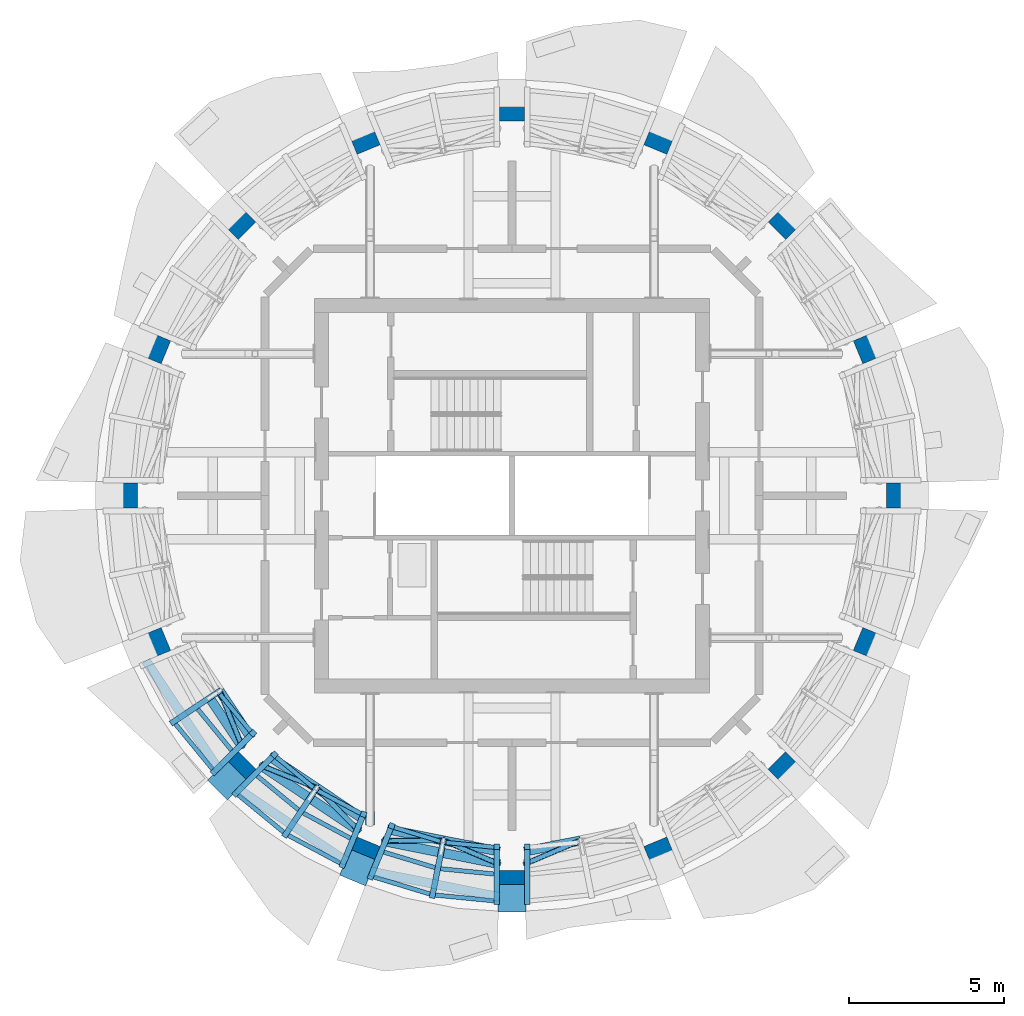
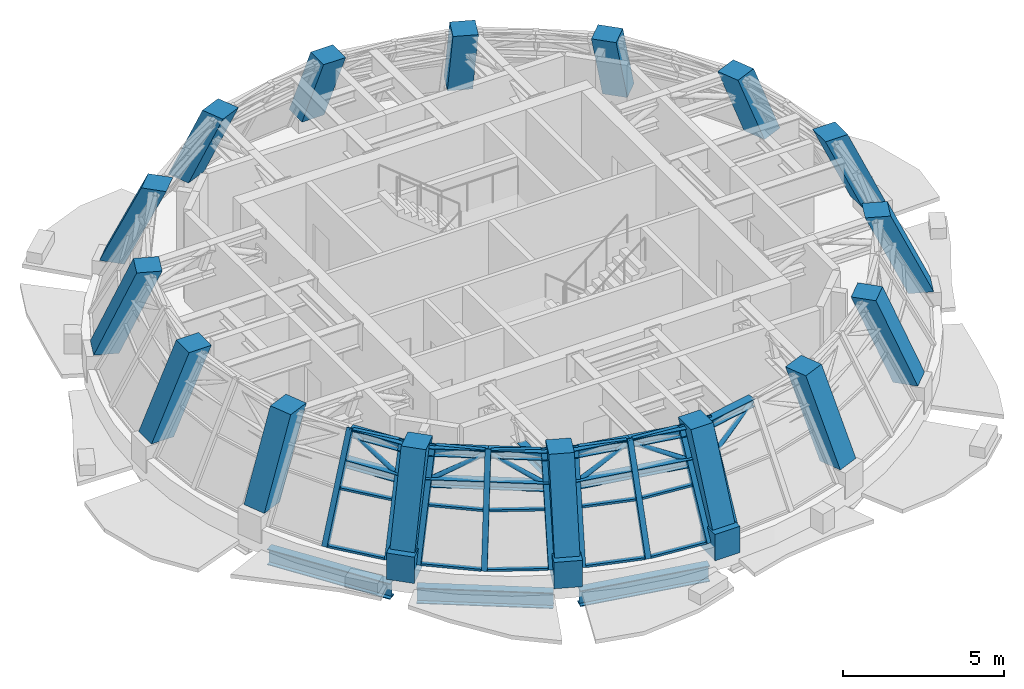
# One storey, part 1 of 12: 45 members, 16 columns, 3 beams, 4 elements without a shape of their own.
"""IFC4 building model written with IfcOpenShell, lengths in metres."""

from ifc_helpers import new_model, si_unit, direction, frame, origin, origin_2d, place, context, subcontext, project, spatial, rectangle, hollow_circle, i_section, extrude, material, material_profile, profile_set, type_object, element, aggregate, save


model = new_model("IFC4")

# Units and contexts
model_context = context("Model", 3, precision=1e-05, world=origin(), true_north=direction((0.0, 1.0)))
body_context = subcontext(model_context, "Body", "Model", "MODEL_VIEW")
ifc_project = project(units=[si_unit("LENGTHUNIT", "METRE"), si_unit("AREAUNIT", "SQUARE_METRE"), si_unit("VOLUMEUNIT", "CUBIC_METRE"), si_unit("PLANEANGLEUNIT", "RADIAN"), si_unit("MASSUNIT", "GRAM", prefix="KILO")], contexts=[model_context])

# Site, building, storey
site_placement = place(None, origin())
site = spatial("IfcSite", under=ifc_project, at=site_placement, CompositionType="ELEMENT")
building_placement = place(site_placement, origin())
building = spatial("IfcBuilding", under=site, at=building_placement, Name="Polderwave Tower", CompositionType="ELEMENT")
storey_placement = place(building_placement, frame((0.0, 0.0, 235.39990234375)))
storey = spatial("IfcBuildingStorey", under=building, at=storey_placement, Name="L64", CompositionType="ELEMENT", Elevation=235.39990234375)

# Columns
ifc_material_1 = material(Name="Concrete C60/75", Category="concrete")
ifc_material_profile_1 = material_profile(ifc_material_1, rectangle(XDim=0.800048828125, YDim=0.800048828125, at=origin_2d()), Name="RC 800x800")
ifc_profile_set_1 = profile_set([ifc_material_profile_1], Name="Concrete C60/75")
column_type = type_object("IfcColumnType", Name="RC COLUMN 800x800 C60/75", PredefinedType="COLUMN", material=ifc_profile_set_1)
column_1_placement = place(storey_placement, frame((12.77490234375, 0.0, 0.5), z_axis=(0.0, 0.0, 1.0), x_axis=(0.0, -1.0, 0.0)))
element("IfcColumn", 1, at=column_1_placement, inside=storey, type_object=column_type, Name="Ring column 01", PredefinedType="COLUMN", context=body_context, shape_type="SweptSolid", body=[
    extrude(rectangle(XDim=0.800048828125, YDim=0.800048828125, at=origin_2d()), origin(), (0.0, -0.410327647277, 0.911938167794), 3.289794921875),
])
column_2_placement = place(storey_placement, frame((11.802490234375, 4.888671875, 0.5), z_axis=(0.0, 0.0, 1.0), x_axis=(0.382713863941, -0.923866926753, 0.0)))
element("IfcColumn", 2, at=column_2_placement, inside=storey, type_object=column_type, Name="Ring column 02", PredefinedType="COLUMN", context=body_context, shape_type="SweptSolid", body=[
    extrude(rectangle(XDim=0.800048828125, YDim=0.800048828125, at=origin_2d()), origin(), (0.0, -0.410323623096, 0.911939978469), 3.289794921875),
])
column_3_placement = place(storey_placement, frame((9.033203125, 9.033203125, 0.5), z_axis=(0.0, 0.0, 1.0), x_axis=(0.707106781187, -0.707106781187, 0.0)))
element("IfcColumn", 3, at=column_3_placement, inside=storey, type_object=column_type, Name="Ring column 03", PredefinedType="COLUMN", context=body_context, shape_type="SweptSolid", body=[
    extrude(rectangle(XDim=0.800048828125, YDim=0.800048828125, at=origin_2d()), origin(), (0.0, -0.410363136233, 0.911922198667), 3.289794921875),
])
column_4_placement = place(storey_placement, frame((4.888671875, 11.802490234375, 0.5), z_axis=(0.0, 0.0, 1.0), x_axis=(0.923866926753, -0.382713863941, 0.0)))
element("IfcColumn", 4, at=column_4_placement, inside=storey, type_object=column_type, Name="Ring column 04", PredefinedType="COLUMN", context=body_context, shape_type="SweptSolid", body=[
    extrude(rectangle(XDim=0.800048828125, YDim=0.800048828125, at=origin_2d()), origin(), (0.0, -0.410323623096, 0.911939978469), 3.289794921875),
])
column_5_placement = place(storey_placement, frame((0.0, 12.77490234375, 0.5), z_axis=(0.0, 0.0, 1.0), x_axis=(1.0, 0.0, 0.0)))
element("IfcColumn", 5, at=column_5_placement, inside=storey, type_object=column_type, Name="Ring column 05", PredefinedType="COLUMN", context=body_context, shape_type="SweptSolid", body=[
    extrude(rectangle(XDim=0.800048828125, YDim=0.800048828125, at=origin_2d()), origin(), (0.0, -0.410327647277, 0.911938167794), 3.289794921875),
])
column_6_placement = place(storey_placement, frame((-4.888671875, 11.802490234375, 0.5), z_axis=(0.0, 0.0, 1.0), x_axis=(0.923866926753, 0.382713863941, 0.0)))
element("IfcColumn", 6, at=column_6_placement, inside=storey, type_object=column_type, Name="Ring column 06", PredefinedType="COLUMN", context=body_context, shape_type="SweptSolid", body=[
    extrude(rectangle(XDim=0.800048828125, YDim=0.800048828125, at=origin_2d()), origin(), (0.0, -0.410323623096, 0.911939978469), 3.289794921875),
])
column_7_placement = place(storey_placement, frame((-9.033203125, 9.033203125, 0.5), z_axis=(0.0, 0.0, 1.0), x_axis=(0.707106781187, 0.707106781187, 0.0)))
element("IfcColumn", 7, at=column_7_placement, inside=storey, type_object=column_type, Name="Ring column 07", PredefinedType="COLUMN", context=body_context, shape_type="SweptSolid", body=[
    extrude(rectangle(XDim=0.800048828125, YDim=0.800048828125, at=origin_2d()), origin(), (0.0, -0.410363136233, 0.911922198667), 3.289794921875),
])
column_8_placement = place(storey_placement, frame((-11.802490234375, 4.888671875, 0.5), z_axis=(0.0, 0.0, 1.0), x_axis=(0.382713863941, 0.923866926753, 0.0)))
element("IfcColumn", 8, at=column_8_placement, inside=storey, type_object=column_type, Name="Ring column 08", PredefinedType="COLUMN", context=body_context, shape_type="SweptSolid", body=[
    extrude(rectangle(XDim=0.800048828125, YDim=0.800048828125, at=origin_2d()), origin(), (0.0, -0.410323623096, 0.911939978469), 3.289794921875),
])
column_9_placement = place(storey_placement, frame((-12.77490234375, 0.0, 0.5), z_axis=(0.0, 0.0, 1.0), x_axis=(0.0, 1.0, 0.0)))
element("IfcColumn", 9, at=column_9_placement, inside=storey, type_object=column_type, Name="Ring column 09", PredefinedType="COLUMN", context=body_context, shape_type="SweptSolid", body=[
    extrude(rectangle(XDim=0.800048828125, YDim=0.800048828125, at=origin_2d()), origin(), (0.0, -0.410327647277, 0.911938167794), 3.289794921875),
])
column_10_placement = place(storey_placement, frame((-11.802490234375, -4.888671875, 0.5), z_axis=(0.0, 0.0, 1.0), x_axis=(-0.382713863941, 0.923866926753, 0.0)))
element("IfcColumn", 10, at=column_10_placement, inside=storey, type_object=column_type, Name="Ring column 10", PredefinedType="COLUMN", context=body_context, shape_type="SweptSolid", body=[
    extrude(rectangle(XDim=0.800048828125, YDim=0.800048828125, at=origin_2d()), origin(), (0.0, -0.410323623096, 0.911939978469), 3.289794921875),
])
column_11_placement = place(storey_placement, frame((-9.033203125, -9.033203125, 0.5), z_axis=(0.0, 0.0, 1.0), x_axis=(-0.707106781187, 0.707106781187, 0.0)))
element("IfcColumn", 11, at=column_11_placement, inside=storey, type_object=column_type, Name="Ring column 11", PredefinedType="COLUMN", context=body_context, shape_type="SweptSolid", body=[
    extrude(rectangle(XDim=0.800048828125, YDim=0.800048828125, at=origin_2d()), origin(), (0.0, -0.410363136233, 0.911922198667), 3.289794921875),
])
column_12_placement = place(storey_placement, frame((-4.888671875, -11.802490234375, 0.5), z_axis=(0.0, 0.0, 1.0), x_axis=(-0.923866926753, 0.382713863941, 0.0)))
element("IfcColumn", 12, at=column_12_placement, inside=storey, type_object=column_type, Name="Ring column 12", PredefinedType="COLUMN", context=body_context, shape_type="SweptSolid", body=[
    extrude(rectangle(XDim=0.800048828125, YDim=0.800048828125, at=origin_2d()), origin(), (0.0, -0.410323623096, 0.911939978469), 3.289794921875),
])
column_13_placement = place(storey_placement, frame((0.0, -12.77490234375, 0.5), z_axis=(0.0, 0.0, 1.0), x_axis=(-1.0, 0.0, 0.0)))
element("IfcColumn", 13, at=column_13_placement, inside=storey, type_object=column_type, Name="Ring column 13", PredefinedType="COLUMN", context=body_context, shape_type="SweptSolid", body=[
    extrude(rectangle(XDim=0.800048828125, YDim=0.800048828125, at=origin_2d()), origin(), (0.0, -0.410327647277, 0.911938167794), 3.289794921875),
])
column_14_placement = place(storey_placement, frame((4.888671875, -11.802490234375, 0.5), z_axis=(0.0, 0.0, 1.0), x_axis=(-0.923866926753, -0.382713863941, 0.0)))
element("IfcColumn", 14, at=column_14_placement, inside=storey, type_object=column_type, Name="Ring column 14", PredefinedType="COLUMN", context=body_context, shape_type="SweptSolid", body=[
    extrude(rectangle(XDim=0.800048828125, YDim=0.800048828125, at=origin_2d()), origin(), (0.0, -0.410323623096, 0.911939978469), 3.289794921875),
])
column_15_placement = place(storey_placement, frame((9.033203125, -9.033203125, 0.5), z_axis=(0.0, 0.0, 1.0), x_axis=(-0.707106781187, -0.707106781187, 0.0)))
element("IfcColumn", 15, at=column_15_placement, inside=storey, type_object=column_type, Name="Ring column 15", PredefinedType="COLUMN", context=body_context, shape_type="SweptSolid", body=[
    extrude(rectangle(XDim=0.800048828125, YDim=0.800048828125, at=origin_2d()), origin(), (0.0, -0.410363136233, 0.911922198667), 3.289794921875),
])
column_16_placement = place(storey_placement, frame((11.802490234375, -4.888671875, 0.5), z_axis=(0.0, 0.0, 1.0), x_axis=(-0.382713863941, -0.923866926753, 0.0)))
element("IfcColumn", 16, at=column_16_placement, inside=storey, type_object=column_type, Name="Ring column 16", PredefinedType="COLUMN", context=body_context, shape_type="SweptSolid", body=[
    extrude(rectangle(XDim=0.800048828125, YDim=0.800048828125, at=origin_2d()), origin(), (0.0, -0.410323623096, 0.911939978469), 3.289794921875),
])

# Members
ifc_material_2 = material(Name="Steel S460", Category="steel")
ifc_material_profile_2 = material_profile(ifc_material_2, i_section(OverallWidth=0.300048828125, OverallDepth=0.300048828125, WebThickness=0.010986328125, FlangeThickness=0.01904296875, at=origin_2d()), Name="HE 300 B")
ifc_profile_set_2 = profile_set([ifc_material_profile_2], Name="Steel S460")
member_type_1 = type_object("IfcMemberType", Name="BELT CHORD HE 300 B", PredefinedType="CHORD", material=ifc_profile_set_2)
member_1_placement = place(storey_placement, frame((-9.40869140625, -6.28662109375, 3.25), z_axis=(0.555555826751, -0.831479238083, 0.0), x_axis=(0.831479238083, 0.555555826751, 0.0)))
element("IfcMember", 17, at=member_1_placement, inside=storey, type_object=member_type_1, Name="ST-BT-L64-09-TC2", PredefinedType="CHORD", context=body_context, shape_type="SweptSolid", body=[
    extrude(i_section(OverallWidth=0.300048828125, OverallDepth=0.300048828125, WebThickness=0.010986328125, FlangeThickness=0.01904296875, at=origin_2d()), origin(), (0.0, 0.0, 1.0), 1.843017578125),
])
member_2_placement = place(storey_placement, frame((-9.739013671875, -6.50732421875, 2.35009765625), z_axis=(0.555579245802, -0.831463590083, 0.0), x_axis=(0.831463590083, 0.555579245802, 0.0)))
element("IfcMember", 18, at=member_2_placement, inside=storey, type_object=member_type_1, Name="ST-BT-L64-09-BC2", PredefinedType="CHORD", context=body_context, shape_type="SweptSolid", body=[
    extrude(i_section(OverallWidth=0.300048828125, OverallDepth=0.300048828125, WebThickness=0.010986328125, FlangeThickness=0.01904296875, at=origin_2d()), origin(), (0.0, 0.0, 1.0), 1.922119140625),
])
member_3_placement = place(storey_placement, frame((-7.819091796875, -8.384765625, 3.25), z_axis=(0.831479238083, -0.555555826751, 0.0), x_axis=(0.555555826751, 0.831479238083, 0.0)))
element("IfcMember", 19, at=member_3_placement, inside=storey, type_object=member_type_1, Name="ST-BT-L64-10-TC1", PredefinedType="CHORD", context=body_context, shape_type="SweptSolid", body=[
    extrude(i_section(OverallWidth=0.300048828125, OverallDepth=0.300048828125, WebThickness=0.010986328125, FlangeThickness=0.01904296875, at=origin_2d()), origin(), (0.0, 0.0, 1.0), 1.843017578125),
])
member_4_placement = place(storey_placement, frame((-8.10546875, -8.671142578125, 2.35009765625), z_axis=(0.831463590083, -0.555579245802, 0.0), x_axis=(0.555579245802, 0.831463590083, 0.0)))
element("IfcMember", 20, at=member_4_placement, inside=storey, type_object=member_type_1, Name="ST-BT-L64-10-BC1", PredefinedType="CHORD", context=body_context, shape_type="SweptSolid", body=[
    extrude(i_section(OverallWidth=0.300048828125, OverallDepth=0.300048828125, WebThickness=0.010986328125, FlangeThickness=0.01904296875, at=origin_2d()), origin(), (0.0, 0.0, 1.0), 1.922119140625),
])
member_5_placement = place(storey_placement, frame((-6.28662109375, -9.40869140625, 3.25), z_axis=(0.831438347203, -0.555617021697, 0.0), x_axis=(0.555617021697, 0.831438347203, 0.0)))
element("IfcMember", 21, at=member_5_placement, inside=storey, type_object=member_type_1, Name="ST-BT-L64-10-TC2", PredefinedType="CHORD", context=body_context, shape_type="SweptSolid", body=[
    extrude(i_section(OverallWidth=0.300048828125, OverallDepth=0.300048828125, WebThickness=0.010986328125, FlangeThickness=0.01904296875, at=origin_2d()), origin(), (0.0, 0.0, 1.0), 1.8427734375),
])
member_6_placement = place(storey_placement, frame((-6.50732421875, -9.739013671875, 2.35009765625), z_axis=(0.831463590083, -0.555579245802, 0.0), x_axis=(0.555579245802, 0.831463590083, 0.0)))
element("IfcMember", 22, at=member_6_placement, inside=storey, type_object=member_type_1, Name="ST-BT-L64-10-BC2", PredefinedType="CHORD", context=body_context, shape_type="SweptSolid", body=[
    extrude(i_section(OverallWidth=0.300048828125, OverallDepth=0.300048828125, WebThickness=0.010986328125, FlangeThickness=0.01904296875, at=origin_2d()), origin(), (0.0, 0.0, 1.0), 1.922119140625),
])
member_7_placement = place(storey_placement, frame((-4.01513671875, -10.73876953125, 3.25), z_axis=(0.980778871524, -0.195122538865, 0.0), x_axis=(0.195122538865, 0.980778871524, 0.0)))
element("IfcMember", 23, at=member_7_placement, inside=storey, type_object=member_type_1, Name="ST-BT-L64-11-TC1", PredefinedType="CHORD", context=body_context, shape_type="SweptSolid", body=[
    extrude(i_section(OverallWidth=0.300048828125, OverallDepth=0.300048828125, WebThickness=0.010986328125, FlangeThickness=0.01904296875, at=origin_2d()), origin(), (0.0, 0.0, 1.0), 1.843017578125),
])
member_8_placement = place(storey_placement, frame((-4.170166015625, -11.113037109375, 2.35009765625), z_axis=(0.980780477023, -0.195114468684, 0.0), x_axis=(0.195114468684, 0.980780477023, 0.0)))
element("IfcMember", 24, at=member_8_placement, inside=storey, type_object=member_type_1, Name="ST-BT-L64-11-BC1", PredefinedType="CHORD", context=body_context, shape_type="SweptSolid", body=[
    extrude(i_section(OverallWidth=0.300048828125, OverallDepth=0.300048828125, WebThickness=0.010986328125, FlangeThickness=0.01904296875, at=origin_2d()), origin(), (0.0, 0.0, 1.0), 1.921875),
])
member_9_placement = place(storey_placement, frame((-2.20751953125, -11.098388671875, 3.25), z_axis=(0.980778871524, -0.195122538865, 0.0), x_axis=(0.195122538865, 0.980778871524, 0.0)))
element("IfcMember", 25, at=member_9_placement, inside=storey, type_object=member_type_1, Name="ST-BT-L64-11-TC2", PredefinedType="CHORD", context=body_context, shape_type="SweptSolid", body=[
    extrude(i_section(OverallWidth=0.300048828125, OverallDepth=0.300048828125, WebThickness=0.010986328125, FlangeThickness=0.01904296875, at=origin_2d()), origin(), (0.0, 0.0, 1.0), 1.843017578125),
])
member_10_placement = place(storey_placement, frame((-2.28515625, -11.488037109375, 2.35009765625), z_axis=(0.980785312019, -0.195090163074, 0.0), x_axis=(0.195090163074, 0.980785312019, 0.0)))
element("IfcMember", 26, at=member_10_placement, inside=storey, type_object=member_type_1, Name="ST-BT-L64-11-BC2", PredefinedType="CHORD", context=body_context, shape_type="SweptSolid", body=[
    extrude(i_section(OverallWidth=0.300048828125, OverallDepth=0.300048828125, WebThickness=0.010986328125, FlangeThickness=0.01904296875, at=origin_2d()), origin(), (0.0, 0.0, 1.0), 1.922119140625),
])
member_11_placement = place(storey_placement, frame((0.39990234375, -11.4580078125, 3.25), z_axis=(0.980778871524, 0.195122538865, 0.0), x_axis=(-0.195122538865, 0.980778871524, 0.0)))
element("IfcMember", 27, at=member_11_placement, inside=storey, type_object=member_type_1, Name="ST-BT-L64-12-TC1", PredefinedType="CHORD", context=body_context, shape_type="SweptSolid", body=[
    extrude(i_section(OverallWidth=0.300048828125, OverallDepth=0.300048828125, WebThickness=0.010986328125, FlangeThickness=0.01904296875, at=origin_2d()), origin(), (0.0, 0.0, 1.0), 1.843017578125),
])
ifc_material_profile_3 = material_profile(ifc_material_2, hollow_circle(Radius=0.084228515625, WallThickness=0.008056640625, at=origin_2d()), Name="CHS 168.3x8")
ifc_profile_set_3 = profile_set([ifc_material_profile_3], Name="Steel S460")
member_type_2 = type_object("IfcMemberType", Name="BELT DIAGONAL CHS 168.3x8", PredefinedType="BRACE", material=ifc_profile_set_3)
for number, where, z_axis, x_axis, name in (
    (28, (-9.40869140625, -6.28662109375, 3.25), (0.341589261676, -0.842383316613, -0.416781866448), (0.926707660134, 0.375783065942, 0.0), "ST-BT-L64-09-D2"),
    (29, (-8.10546875, -8.671142578125, 2.35009765625), (0.842383316613, -0.341589261676, 0.416781866448), (0.375783065942, 0.926707660134, 0.0), "ST-BT-L64-10-D1"),
    (30, (-6.28662109375, -9.40869140625, 3.25), (0.637942744099, -0.647553721279, -0.416777198644), (0.71237353489, 0.701800503553, 0.0), "ST-BT-L64-10-D2"),
    (31, (-4.170166015625, -11.113037109375, 2.35009765625), (0.908981434905, 0.006784287361, 0.416781386872), (-0.007463407004, 0.99997214839, 0.0), "ST-BT-L64-11-D1"),
    (32, (-2.20751953125, -11.098388671875, 3.25), (0.837183634537, -0.354140889164, -0.416782668409), (0.38959129536, 0.920987851483, 0.0), "ST-BT-L64-11-D2"),
    (33, (0.39990234375, -11.863037109375, 2.35009765625), (0.837183634537, 0.354140889164, 0.416782668409), (-0.38959129536, 0.920987851483, 0.0), "ST-BT-L64-12-D1"),
):
    element("IfcMember", number, at=place(storey_placement, frame(where, z_axis=z_axis, x_axis=x_axis)), inside=storey, type_object=member_type_2, Name=name, PredefinedType="BRACE", context=body_context, shape_type="SweptSolid", body=[
        extrude(hollow_circle(Radius=0.084228515625, WallThickness=0.008056640625, at=origin_2d()), origin(), (0.0, 0.0, 1.0), 2.1591796875),
    ])

# Curtain wall, members
ifc_material_3 = material(Name="Aluminium 6063-T6 and glass", Category="aluminium")
curtain_wall_type = type_object("IfcCurtainWallType", Name="Crown facet glazing wall", PredefinedType="NOTDEFINED", material=ifc_material_3)
curtain_wall_1_placement = place(storey_placement, origin())
curtain_wall_1 = element("IfcCurtainWall", 34, at=curtain_wall_1_placement, inside=storey, type_object=curtain_wall_type, Name="CROWN CW6 L64 09", PredefinedType="NOTDEFINED")
ifc_material_4 = material(Name="Aluminium 6063-T6", Category="aluminium")
ifc_material_profile_4 = material_profile(ifc_material_4, rectangle(XDim=0.18505859375, YDim=0.199951171875, at=origin_2d()), Name="AL 185x200")
ifc_profile_set_4 = profile_set([ifc_material_profile_4], Name="Aluminium 6063-T6")
member_type_3 = type_object("IfcMemberType", Name="Crown facet glazing mullion 185x200", PredefinedType="MULLION", material=ifc_profile_set_4)
member_12_placement = place(storey_placement, frame((-10.908935546875, -7.2890625, 0.0), z_axis=(0.383574541444, 0.256289716032, 0.887235116873), x_axis=(-0.555560344141, 0.831476219755, 0.0)))
member_12 = element("IfcMember", 35, at=member_12_placement, type_object=member_type_3, Name="CW6 mullion 2", PredefinedType="MULLION", context=body_context, shape_type="SweptSolid", body=[
    extrude(rectangle(XDim=0.18505859375, YDim=0.199951171875, at=origin_2d()), origin(), (0.0, 0.0, 1.0), 3.832275390625),
])
member_13_placement = place(storey_placement, frame((-9.5908203125, -8.89453125, 0.0), z_axis=(0.326180736129, 0.326180736129, 0.887249826575), x_axis=(-0.707106781187, 0.707106781187, 0.0)))
member_13 = element("IfcMember", 36, at=member_13_placement, type_object=member_type_3, Name="CW6 mullion 3", PredefinedType="MULLION", context=body_context, shape_type="SweptSolid", body=[
    extrude(rectangle(XDim=0.18505859375, YDim=0.199951171875, at=origin_2d()), origin(), (0.0, 0.0, 1.0), 3.832275390625),
])

curtain_wall_2_placement = place(storey_placement, origin())
curtain_wall_2 = element("IfcCurtainWall", 37, at=curtain_wall_2_placement, inside=storey, type_object=curtain_wall_type, Name="CROWN CW6 L64 10", PredefinedType="NOTDEFINED")
member_14_placement = place(storey_placement, frame((-8.89453125, -9.5908203125, 0.0), z_axis=(0.326180736129, 0.326180736129, 0.887249826575), x_axis=(-0.707106781187, 0.707106781187, 0.0)))
member_14 = element("IfcMember", 38, at=member_14_placement, type_object=member_type_3, Name="CW6 mullion 1", PredefinedType="MULLION", context=body_context, shape_type="SweptSolid", body=[
    extrude(rectangle(XDim=0.18505859375, YDim=0.199951171875, at=origin_2d()), origin(), (0.0, 0.0, 1.0), 3.832275390625),
])
member_15_placement = place(storey_placement, frame((-7.2890625, -10.908935546875, 0.0), z_axis=(0.256289716032, 0.383574541444, 0.887235116873), x_axis=(-0.831476219755, 0.555560344141, 0.0)))
member_15 = element("IfcMember", 39, at=member_15_placement, type_object=member_type_3, Name="CW6 mullion 2", PredefinedType="MULLION", context=body_context, shape_type="SweptSolid", body=[
    extrude(rectangle(XDim=0.18505859375, YDim=0.199951171875, at=origin_2d()), origin(), (0.0, 0.0, 1.0), 3.832275390625),
])
member_16_placement = place(storey_placement, frame((-5.45654296875, -11.888427734375, 0.0), z_axis=(0.176411868684, 0.426153481267, 0.887283530215), x_axis=(-0.923961289625, 0.382485993567, 0.0)))
member_16 = element("IfcMember", 40, at=member_16_placement, type_object=member_type_3, Name="CW6 mullion 3", PredefinedType="MULLION", context=body_context, shape_type="SweptSolid", body=[
    extrude(rectangle(XDim=0.18505859375, YDim=0.199951171875, at=origin_2d()), origin(), (0.0, 0.0, 1.0), 3.83203125),
])

curtain_wall_3_placement = place(storey_placement, origin())
curtain_wall_3 = element("IfcCurtainWall", 41, at=curtain_wall_3_placement, inside=storey, type_object=curtain_wall_type, Name="CROWN CW6 L64 11", PredefinedType="NOTDEFINED")
member_17_placement = place(storey_placement, frame((-4.547607421875, -12.264892578125, 0.0), z_axis=(0.176411868684, 0.426153481267, 0.887283530215), x_axis=(-0.923961289625, 0.382485993567, 0.0)))
member_17 = element("IfcMember", 42, at=member_17_placement, type_object=member_type_3, Name="CW6 mullion 1", PredefinedType="MULLION", context=body_context, shape_type="SweptSolid", body=[
    extrude(rectangle(XDim=0.18505859375, YDim=0.199951171875, at=origin_2d()), origin(), (0.0, 0.0, 1.0), 3.83203125),
])
member_18_placement = place(storey_placement, frame((-2.56005859375, -12.867919921875, 0.0), z_axis=(0.090017110684, 0.452442689368, 0.88723871231), x_axis=(-0.980776708375, 0.195133411565, 0.0)))
member_18 = element("IfcMember", 43, at=member_18_placement, type_object=member_type_3, Name="CW6 mullion 2", PredefinedType="MULLION", context=body_context, shape_type="SweptSolid", body=[
    extrude(rectangle(XDim=0.18505859375, YDim=0.199951171875, at=origin_2d()), origin(), (0.0, 0.0, 1.0), 3.832275390625),
])
member_19_placement = place(storey_placement, frame((-0.4921875, -13.071044921875, 0.0), z_axis=(0.0, 0.461150112865, 0.887322136208), x_axis=(-1.0, 0.0, 0.0)))
member_19 = element("IfcMember", 44, at=member_19_placement, type_object=member_type_3, Name="CW6 mullion 3", PredefinedType="MULLION", context=body_context, shape_type="SweptSolid", body=[
    extrude(rectangle(XDim=0.18505859375, YDim=0.199951171875, at=origin_2d()), origin(), (0.0, 0.0, 1.0), 3.83203125),
])

# Curtain wall, member
curtain_wall_4_placement = place(storey_placement, origin())
curtain_wall_4 = element("IfcCurtainWall", 45, at=curtain_wall_4_placement, inside=storey, type_object=curtain_wall_type, Name="CROWN CW6 L64 12", PredefinedType="NOTDEFINED")
member_20_placement = place(storey_placement, frame((0.4921875, -13.071044921875, 0.0), z_axis=(0.0, 0.461150112865, 0.887322136208), x_axis=(-1.0, 0.0, 0.0)))
member_20 = element("IfcMember", 46, at=member_20_placement, type_object=member_type_3, Name="CW6 mullion 1", PredefinedType="MULLION", context=body_context, shape_type="SweptSolid", body=[
    extrude(rectangle(XDim=0.18505859375, YDim=0.199951171875, at=origin_2d()), origin(), (0.0, 0.0, 1.0), 3.83203125),
])
aggregate(curtain_wall_4, [member_20])

# Member
ifc_material_profile_5 = material_profile(ifc_material_4, rectangle(XDim=0.139892578125, YDim=0.080078125, at=origin_2d()), Name="AL 80x140")
ifc_profile_set_5 = profile_set([ifc_material_profile_5], Name="Aluminium 6063-T6")
member_type_4 = type_object("IfcMemberType", Name="Crown facet glazing transom 80x140", PredefinedType="USERDEFINED", material=ifc_profile_set_5)
member_21_placement = place(storey_placement, frame((-10.8330078125, -7.348876953125, 0.0400390625), z_axis=(0.63454640673, -0.772884763536, 0.0), x_axis=(0.772884763536, 0.63454640673, 0.0)))
member_21 = element("IfcMember", 47, at=member_21_placement, type_object=member_type_4, Name="CW6 transom 4", ObjectType="TRANSOM", PredefinedType="USERDEFINED", context=body_context, shape_type="SweptSolid", body=[
    extrude(rectangle(XDim=0.139892578125, YDim=0.080078125, at=origin_2d()), origin(), (0.0, 0.0, 1.0), 1.888427734375),
])

member_22_placement = place(storey_placement, frame((-10.115234375, -6.869384765625, 1.7001953125), z_axis=(0.634551629177, -0.772880475824, 0.0), x_axis=(0.772880475824, 0.634551629177, 0.0)))
member_22 = element("IfcMember", 48, at=member_22_placement, type_object=member_type_4, Name="CW6 transom 5", ObjectType="TRANSOM", PredefinedType="USERDEFINED", context=body_context, shape_type="SweptSolid", body=[
    extrude(rectangle(XDim=0.139892578125, YDim=0.080078125, at=origin_2d()), origin(), (0.0, 0.0, 1.0), 1.718994140625),
])

member_23_placement = place(storey_placement, frame((-9.397705078125, -6.389892578125, 3.360107421875), z_axis=(0.634652080933, -0.772797991824, 0.0), x_axis=(0.772797991824, 0.634652080933, 0.0)))
member_23 = element("IfcMember", 49, at=member_23_placement, type_object=member_type_4, Name="CW6 transom 6", ObjectType="TRANSOM", PredefinedType="USERDEFINED", context=body_context, shape_type="SweptSolid", body=[
    extrude(rectangle(XDim=0.139892578125, YDim=0.080078125, at=origin_2d()), origin(), (0.0, 0.0, 1.0), 1.5498046875),
])

aggregate(curtain_wall_1, [member_12, member_13, member_21, member_22, member_23])

member_24_placement = place(storey_placement, frame((-8.808349609375, -9.634765625, 0.0400390625), z_axis=(0.772884763536, -0.63454640673, 0.0), x_axis=(0.63454640673, 0.772884763536, 0.0)))
member_24 = element("IfcMember", 50, at=member_24_placement, type_object=member_type_4, Name="CW6 transom 1", ObjectType="TRANSOM", PredefinedType="USERDEFINED", context=body_context, shape_type="SweptSolid", body=[
    extrude(rectangle(XDim=0.139892578125, YDim=0.080078125, at=origin_2d()), origin(), (0.0, 0.0, 1.0), 1.888427734375),
])

member_25_placement = place(storey_placement, frame((-8.197998046875, -9.0244140625, 1.7001953125), z_axis=(0.772880475824, -0.634551629177, 0.0), x_axis=(0.634551629177, 0.772880475824, 0.0)))
member_25 = element("IfcMember", 51, at=member_25_placement, type_object=member_type_4, Name="CW6 transom 2", ObjectType="TRANSOM", PredefinedType="USERDEFINED", context=body_context, shape_type="SweptSolid", body=[
    extrude(rectangle(XDim=0.139892578125, YDim=0.080078125, at=origin_2d()), origin(), (0.0, 0.0, 1.0), 1.718994140625),
])

member_26_placement = place(storey_placement, frame((-7.587646484375, -8.4140625, 3.360107421875), z_axis=(0.772797991824, -0.634652080933, 0.0), x_axis=(0.634652080933, 0.772797991824, 0.0)))
member_26 = element("IfcMember", 52, at=member_26_placement, type_object=member_type_4, Name="CW6 transom 3", ObjectType="TRANSOM", PredefinedType="USERDEFINED", context=body_context, shape_type="SweptSolid", body=[
    extrude(rectangle(XDim=0.139892578125, YDim=0.080078125, at=origin_2d()), origin(), (0.0, 0.0, 1.0), 1.5498046875),
])

member_27_placement = place(storey_placement, frame((-7.19580078125, -10.935302734375, 0.0400390625), z_axis=(0.881890896248, -0.471453547144, 0.0), x_axis=(0.471453547144, 0.881890896248, 0.0)))
member_27 = element("IfcMember", 53, at=member_27_placement, type_object=member_type_4, Name="CW6 transom 4", ObjectType="TRANSOM", PredefinedType="USERDEFINED", context=body_context, shape_type="SweptSolid", body=[
    extrude(rectangle(XDim=0.139892578125, YDim=0.080078125, at=origin_2d()), origin(), (0.0, 0.0, 1.0), 1.888671875),
])

member_28_placement = place(storey_placement, frame((-6.71630859375, -10.217529296875, 1.7001953125), z_axis=(0.881821721704, -0.471582920737, 0.0), x_axis=(0.471582920737, 0.881821721704, 0.0)))
member_28 = element("IfcMember", 54, at=member_28_placement, type_object=member_type_4, Name="CW6 transom 5", ObjectType="TRANSOM", PredefinedType="USERDEFINED", context=body_context, shape_type="SweptSolid", body=[
    extrude(rectangle(XDim=0.139892578125, YDim=0.080078125, at=origin_2d()), origin(), (0.0, 0.0, 1.0), 1.71923828125),
])

member_29_placement = place(storey_placement, frame((-6.237060546875, -9.5, 3.360107421875), z_axis=(0.881837952889, -0.471552568485, 0.0), x_axis=(0.471552568485, 0.881837952889, 0.0)))
member_29 = element("IfcMember", 55, at=member_29_placement, type_object=member_type_4, Name="CW6 transom 6", ObjectType="TRANSOM", PredefinedType="USERDEFINED", context=body_context, shape_type="SweptSolid", body=[
    extrude(rectangle(XDim=0.139892578125, YDim=0.080078125, at=origin_2d()), origin(), (0.0, 0.0, 1.0), 1.550048828125),
])

aggregate(curtain_wall_2, [member_14, member_15, member_16, member_24, member_25, member_26, member_27, member_28, member_29])

member_30_placement = place(storey_placement, frame((-4.450927734375, -12.2724609375, 0.0400390625), z_axis=(0.956885069908, -0.290466801867, 0.0), x_axis=(0.290466801867, 0.956885069908, 0.0)))
member_30 = element("IfcMember", 56, at=member_30_placement, type_object=member_type_4, Name="CW6 transom 1", ObjectType="TRANSOM", PredefinedType="USERDEFINED", context=body_context, shape_type="SweptSolid", body=[
    extrude(rectangle(XDim=0.139892578125, YDim=0.080078125, at=origin_2d()), origin(), (0.0, 0.0, 1.0), 1.8876953125),
])

member_31_placement = place(storey_placement, frame((-4.12109375, -11.47509765625, 1.7001953125), z_axis=(0.956938361333, -0.290291185896, 0.0), x_axis=(0.290291185896, 0.956938361333, 0.0)))
member_31 = element("IfcMember", 57, at=member_31_placement, type_object=member_type_4, Name="CW6 transom 2", ObjectType="TRANSOM", PredefinedType="USERDEFINED", context=body_context, shape_type="SweptSolid", body=[
    extrude(rectangle(XDim=0.139892578125, YDim=0.080078125, at=origin_2d()), origin(), (0.0, 0.0, 1.0), 1.718994140625),
])

member_32_placement = place(storey_placement, frame((-3.791015625, -10.677978515625, 3.360107421875), z_axis=(0.957033677059, -0.289976793855, 0.0), x_axis=(0.289976793855, 0.957033677059, 0.0)))
member_32 = element("IfcMember", 58, at=member_32_placement, type_object=member_type_4, Name="CW6 transom 3", ObjectType="TRANSOM", PredefinedType="USERDEFINED", context=body_context, shape_type="SweptSolid", body=[
    extrude(rectangle(XDim=0.139892578125, YDim=0.080078125, at=origin_2d()), origin(), (0.0, 0.0, 1.0), 1.550048828125),
])

member_33_placement = place(storey_placement, frame((-2.4638671875, -12.856689453125, 0.0400390625), z_axis=(0.995227294554, -0.097583974986, 0.0), x_axis=(0.097583974986, 0.995227294554, 0.0)))
member_33 = element("IfcMember", 59, at=member_33_placement, type_object=member_type_4, Name="CW6 transom 4", ObjectType="TRANSOM", PredefinedType="USERDEFINED", context=body_context, shape_type="SweptSolid", body=[
    extrude(rectangle(XDim=0.139892578125, YDim=0.080078125, at=origin_2d()), origin(), (0.0, 0.0, 1.0), 1.888916015625),
])

member_34_placement = place(storey_placement, frame((-2.29541015625, -12.010009765625, 1.7001953125), z_axis=(0.99519060674, -0.097957420635, 0.0), x_axis=(0.097957420635, 0.99519060674, 0.0)))
member_34 = element("IfcMember", 60, at=member_34_placement, type_object=member_type_4, Name="CW6 transom 5", ObjectType="TRANSOM", PredefinedType="USERDEFINED", context=body_context, shape_type="SweptSolid", body=[
    extrude(rectangle(XDim=0.139892578125, YDim=0.080078125, at=origin_2d()), origin(), (0.0, 0.0, 1.0), 1.7197265625),
])

member_35_placement = place(storey_placement, frame((-2.126953125, -11.163330078125, 3.360107421875), z_axis=(0.995161131083, -0.098256415474, 0.0), x_axis=(0.098256415474, 0.995161131083, 0.0)))
member_35 = element("IfcMember", 61, at=member_35_placement, type_object=member_type_4, Name="CW6 transom 6", ObjectType="TRANSOM", PredefinedType="USERDEFINED", context=body_context, shape_type="SweptSolid", body=[
    extrude(rectangle(XDim=0.139892578125, YDim=0.080078125, at=origin_2d()), origin(), (0.0, 0.0, 1.0), 1.550537109375),
])

aggregate(curtain_wall_3, [member_17, member_18, member_19, member_30, member_31, member_32, member_33, member_34, member_35])

# Members
ifc_material_profile_6 = material_profile(ifc_material_2, i_section(OverallWidth=0.300048828125, OverallDepth=0.2900390625, WebThickness=0.008544921875, FlangeThickness=0.013916015625, at=origin_2d()), Name="HE 300 A")
ifc_profile_set_6 = profile_set([ifc_material_profile_6], Name="Steel S460")
member_type_5 = type_object("IfcMemberType", Name="OUTRIGGER CHORD HE 300 A", PredefinedType="CHORD", material=ifc_profile_set_6)
member_36_placement = place(storey_placement, frame((-4.571044921875, -8.496337890625, 2.34521484375), z_axis=(0.0, -1.0, 0.0), x_axis=(1.0, 0.0, 0.0)))
element("IfcMember", 62, at=member_36_placement, inside=storey, type_object=member_type_5, Name="ST-OR-L64-11-BC2", PredefinedType="CHORD", context=body_context, shape_type="SweptSolid", body=[
    extrude(i_section(OverallWidth=0.300048828125, OverallDepth=0.2900390625, WebThickness=0.008544921875, FlangeThickness=0.013916015625, at=origin_2d()), origin(), (0.0, 0.0, 1.0), 2.106201171875),
])
ifc_material_profile_7 = material_profile(ifc_material_1, rectangle(XDim=0.89990234375, YDim=0.89990234375, at=origin_2d()), Name="RC 900x900")
ifc_profile_set_7 = profile_set([ifc_material_profile_7], Name="Concrete C60/75")
member_type_6 = type_object("IfcMemberType", Name="RC NODE 900x900 C60/75", PredefinedType="POST", material=ifc_profile_set_7)
for number, where, z_axis, x_axis, name in (
    (63, (-9.163330078125, -9.163330078125, -0.5), (0.0, 0.0, 1.0), (-0.707106781187, -0.707106781187, 0.0), "Ring column node 11"),
    (64, (-4.959228515625, -11.972412109375, -0.5), (0.0, 0.0, 1.0), (-0.382683432365, -0.923879532511, 0.0), "Ring column node 12"),
    (65, (0.0, -12.958984375, -0.5), (0.0, 0.0, 1.0), (0.0, -1.0, 0.0), "Ring column node 13"),
):
    element("IfcMember", number, at=place(storey_placement, frame(where, z_axis=z_axis, x_axis=x_axis)), inside=storey, type_object=member_type_6, Name=name, PredefinedType="POST", context=body_context, shape_type="SweptSolid", body=[
        extrude(rectangle(XDim=0.89990234375, YDim=0.89990234375, at=origin_2d()), origin(), (0.0, 0.0, 1.0), 1.0),
    ])

# Beams
ifc_material_5 = material(Name="Steel S355", Category="steel")
ifc_material_profile_8 = material_profile(ifc_material_5, i_section(OverallWidth=0.300048828125, OverallDepth=0.60009765625, WebThickness=0.015380859375, FlangeThickness=0.030029296875, at=origin_2d()), Name="HE 600 B")
ifc_profile_set_8 = profile_set([ifc_material_profile_8], Name="Steel S355")
beam_type = type_object("IfcBeamType", Name="RING BEAM HE 600 B", PredefinedType="BEAM", material=ifc_profile_set_8)
for number, where, z_axis, x_axis, name in (
    (66, (-11.783935546875, -5.31396484375, -1.199951171875), (0.555586659811, -0.831458636036, 0.0), (0.831458636036, 0.555586659811, 0.0), "ST-RB-L64-09"),
    (67, (-8.853271484375, -9.4189453125, -1.199951171875), (0.831458636036, -0.555586659811, 0.0), (0.555586659811, 0.831458636036, 0.0), "ST-RB-L64-10"),
    (68, (-4.574951171875, -12.090087890625, -1.199951171875), (0.980791868575, -0.195057198118, 0.0), (0.195057198118, 0.980791868575, 0.0), "ST-RB-L64-11"),
):
    element("IfcBeam", number, at=place(storey_placement, frame(where, z_axis=z_axis, x_axis=x_axis)), inside=storey, type_object=beam_type, Name=name, PredefinedType="BEAM", context=body_context, shape_type="SweptSolid", body=[
        extrude(i_section(OverallWidth=0.300048828125, OverallDepth=0.60009765625, WebThickness=0.015380859375, FlangeThickness=0.030029296875, at=origin_2d()), origin(), (0.0, 0.0, 1.0), 4.2568359375),
    ])

save(model, "model.ifc")
